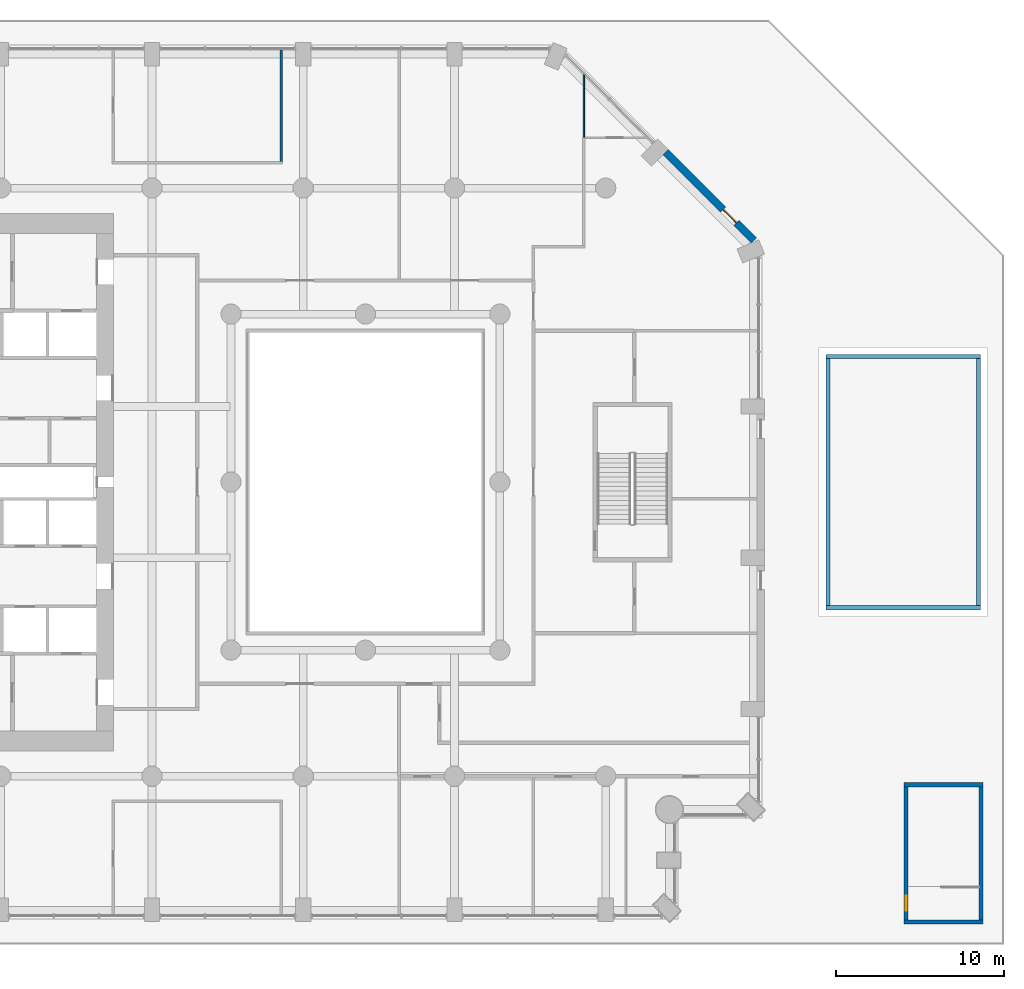
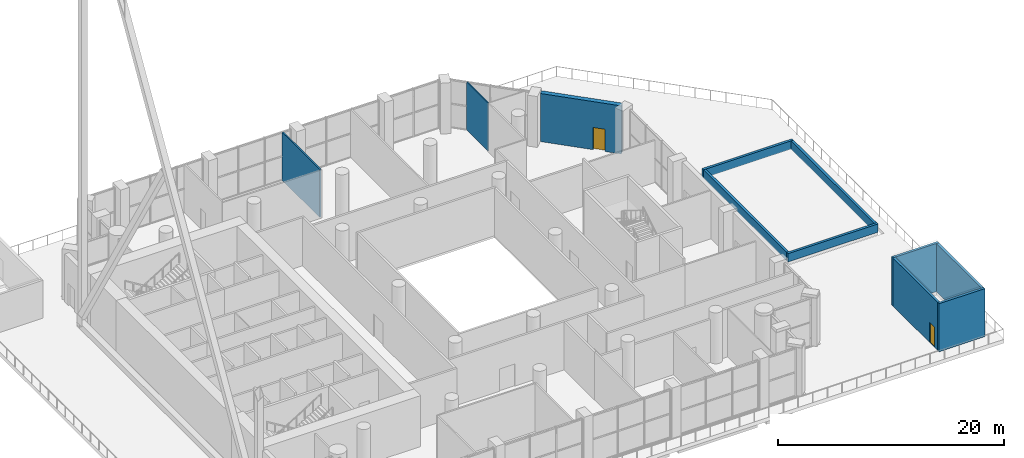
# One storey, part 16 of 26: 11 walls, 2 doors, 2 openings.
"""IFC4 building model written with IfcOpenShell, lengths in metres."""

from ifc_helpers import new_model, si_unit, direction, frame, frame_2d, origin, place, context, subcontext, project, spatial, rectangle, extrude, material, layer, layer_set, type_object, element, fill, save


model = new_model("IFC4")

# Units and contexts
model_context = context("Model", 3, precision=1e-05, world=origin(), true_north=direction((0.0, 1.0)))
body_context = subcontext(model_context, "Body", "Model", "MODEL_VIEW")
ifc_project = project(units=[si_unit("LENGTHUNIT", "METRE"), si_unit("AREAUNIT", "SQUARE_METRE"), si_unit("VOLUMEUNIT", "CUBIC_METRE"), si_unit("PLANEANGLEUNIT", "RADIAN"), si_unit("MASSUNIT", "GRAM", prefix="KILO")], contexts=[model_context])

# Site, building, storey
site_placement = place(None, origin())
site = spatial("IfcSite", under=ifc_project, at=site_placement, CompositionType="ELEMENT")
building_placement = place(site_placement, origin())
building = spatial("IfcBuilding", under=site, at=building_placement, Name="Cypress Arch Tower", CompositionType="ELEMENT")
storey_placement = place(building_placement, frame((0.0, 0.0, 50.0)))
storey = spatial("IfcBuildingStorey", under=building, at=storey_placement, Name="L06", CompositionType="ELEMENT", Elevation=50.0)

# Wall, opening, door
ifc_material_1 = material(Name="Brick (red buff blend)", Category="masonry")
ifc_layer_1 = layer(ifc_material_1, 0.449951171875)
ifc_layer_set_1 = layer_set([ifc_layer_1], Name="Brick pier and spandrel wall BW450")
wall_type_1 = type_object("IfcWallType", Name="Brick pier and spandrel wall BW450", PredefinedType="SOLIDWALL", material=ifc_layer_set_1)
wall_1_placement = place(storey_placement, frame((24.11474609375, 14.379150390625, 0.0), z_axis=(0.0, 0.0, 1.0), x_axis=(-0.707106781187, 0.707106781187, 0.0)))
wall_1 = element("IfcWall", 1, at=wall_1_placement, inside=storey, type_object=wall_type_1, Name="Brick wall L06 A07.0", PredefinedType="SOLIDWALL", context=body_context, shape_type="SweptSolid", body=[
    extrude(rectangle(XDim=7.423828125, YDim=0.449951171875, at=frame_2d((3.7119140625, 0.0))), origin(), (0.0, 0.0, 1.0), 5.199951171875),
])
opening_1_placement = place(wall_1_placement, frame((1.484619140625, 0.0, 0.0)))
opening_1 = element("IfcOpeningElement", 2, at=opening_1_placement, cuts=wall_1, Name="Opening DX1100", PredefinedType="OPENING", context=body_context, shape_type="SweptSolid", body=[
    extrude(rectangle(XDim=1.10009765625, YDim=2.39990234375, at=frame_2d((0.550048828125, 1.199951171875))), frame((0.0, 0.23486328125, 0.0), z_axis=(0.0, -1.0, 0.0), x_axis=(1.0, 0.0, 0.0)), (0.0, 0.0, 1.0), 0.469970703125),
])
ifc_material_2 = material(Name="Steel, powder coated, glazed vision panel", Category="steel")
door_type_1 = type_object("IfcDoorType", Name="Exit door single 1100x2400", OperationType="SINGLE_SWING_LEFT", PredefinedType="DOOR", material=ifc_material_2)
door_1_placement = place(opening_1_placement, origin())
door_1 = element("IfcDoor", 3, at=door_1_placement, inside=storey, type_object=door_type_1, Name="Exterior door L06 A07.0.1", OperationType="SINGLE_SWING_LEFT", OverallHeight=2.39990234375, OverallWidth=1.10009765625, PredefinedType="DOOR", context=body_context, shape_type="SweptSolid", body=[
    extrude(rectangle(XDim=1.10009765625, YDim=2.39990234375, at=frame_2d((0.550048828125, 1.199951171875))), frame((0.0, 0.02490234375, 0.0), z_axis=(0.0, -1.0, 0.0), x_axis=(1.0, 0.0, 0.0)), (0.0, 0.0, 1.0), 0.050048828125),
])
fill(opening_1, door_1)

# Walls
ifc_material_3 = material(Name="Concrete C40/50", Category="concrete")
ifc_layer_2 = layer(ifc_material_3, 0.25)
ifc_layer_set_2 = layer_set([ifc_layer_2], Name="East core roof parapet PP250")
wall_type_2 = type_object("IfcWallType", Name="East core roof parapet PP250", PredefinedType="PARAPET", material=ifc_layer_set_2)
for number, where, z_axis, x_axis, name in (
    (4, (28.39990234375, 7.47509765625, 0.0), (0.0, 0.0, 1.0), (1.0, 0.0, 0.0), "East core parapet N"),
    (5, (28.39990234375, -7.47509765625, 0.0), (0.0, 0.0, 1.0), (1.0, 0.0, 0.0), "East core parapet S"),
):
    element("IfcWall", number, at=place(storey_placement, frame(where, z_axis=z_axis, x_axis=x_axis)), inside=storey, type_object=wall_type_2, Name=name, PredefinedType="PARAPET", context=body_context, shape_type="SweptSolid", body=[
        extrude(rectangle(XDim=9.2001953125, YDim=0.25, at=frame_2d((4.60009765625, 0.0))), origin(), (0.0, 0.0, 1.0), 0.89990234375),
    ])
for number, where, z_axis, x_axis, name in (
    (6, (37.47509765625, -7.35009765625, 0.0), (0.0, 0.0, 1.0), (0.0, 1.0, 0.0), "East core parapet E"),
    (7, (28.52490234375, -7.35009765625, 0.0), (0.0, 0.0, 1.0), (0.0, 1.0, 0.0), "East core parapet W"),
):
    element("IfcWall", number, at=place(storey_placement, frame(where, z_axis=z_axis, x_axis=x_axis)), inside=storey, type_object=wall_type_2, Name=name, PredefinedType="PARAPET", context=body_context, shape_type="SweptSolid", body=[
        extrude(rectangle(XDim=14.7001953125, YDim=0.25, at=frame_2d((7.35009765625, 0.0))), origin(), (0.0, 0.0, 1.0), 0.89990234375),
    ])
ifc_material_4 = material(Name="Blockwork, plastered both sides", Category="masonry")
ifc_layer_3 = layer(ifc_material_4, 0.14990234375)
ifc_layer_set_3 = layer_set([ifc_layer_3], Name="Partition PW150")
wall_type_3 = type_object("IfcWallType", Name="Partition PW150", PredefinedType="PARTITIONING", material=ifc_layer_set_3)
wall_2_placement = place(storey_placement, frame((-4.0, 19.074951171875, 0.0), z_axis=(0.0, 0.0, 1.0), x_axis=(0.0, 1.0, 0.0)))
element("IfcWall", 8, at=wall_2_placement, inside=storey, type_object=wall_type_3, Name="Partition", PredefinedType="PARTITIONING", context=body_context, shape_type="SweptSolid", body=[
    extrude(rectangle(XDim=6.650146484375, YDim=0.14990234375, at=frame_2d((3.3251953125, 0.0))), origin(), (0.0, 0.0, 1.0), 5.199951171875),
])

# Wall, opening, door
ifc_material_5 = material(Name="Concrete C50/60", Category="concrete")
ifc_layer_4 = layer(ifc_material_5, 0.25)
ifc_layer_set_4 = layer_set([ifc_layer_4], Name="Stair enclosure wall SW250")
wall_type_4 = type_object("IfcWallType", Name="Stair enclosure wall SW250", PredefinedType="SHEAR", material=ifc_layer_set_4)
wall_3_placement = place(storey_placement, frame((33.175048828125, -26.050048828125, 0.0), z_axis=(0.0, 0.0, 1.0), x_axis=(0.0, 1.0, 0.0)))
wall_3 = element("IfcWall", 9, at=wall_3_placement, inside=storey, type_object=wall_type_4, Name="Stair enclosure wall", PredefinedType="SHEAR", context=body_context, shape_type="SweptSolid", body=[
    extrude(rectangle(XDim=7.920166015625, YDim=0.25, at=frame_2d((3.9599609375, 0.0))), origin(), (0.0, 0.0, 1.0), 5.199951171875),
])
opening_2_placement = place(wall_3_placement, frame((0.550048828125, 0.0, 0.0)))
opening_2 = element("IfcOpeningElement", 10, at=opening_2_placement, cuts=wall_3, Name="Opening D15", PredefinedType="OPENING", context=body_context, shape_type="SweptSolid", body=[
    extrude(rectangle(XDim=0.89990234375, YDim=2.199951171875, at=frame_2d((0.449951171875, 1.10009765625))), frame((0.0, 0.135009765625, 0.0), z_axis=(0.0, -1.0, 0.0), x_axis=(1.0, 0.0, 0.0)), (0.0, 0.0, 1.0), 0.27001953125),
])
ifc_material_6 = material(Name="Steel door, fire resisting, panic bar", Category="steel")
door_type_2 = type_object("IfcDoorType", Name="Stair door D15 900x2200", OperationType="SINGLE_SWING_LEFT", PredefinedType="DOOR", material=ifc_material_6)
door_2_placement = place(opening_2_placement, origin())
door_2 = element("IfcDoor", 11, at=door_2_placement, inside=storey, type_object=door_type_2, Name="Stair door", OperationType="SINGLE_SWING_LEFT", OverallHeight=2.199951171875, OverallWidth=0.89990234375, PredefinedType="DOOR", context=body_context, shape_type="SweptSolid", body=[
    extrude(rectangle(XDim=0.89990234375, YDim=2.199951171875, at=frame_2d((0.449951171875, 1.10009765625))), frame((0.0, 0.02490234375, 0.0), z_axis=(0.0, -1.0, 0.0), x_axis=(1.0, 0.0, 0.0)), (0.0, 0.0, 1.0), 0.050048828125),
])
fill(opening_2, door_2)

# Walls
for number, where, z_axis, x_axis, name in (
    (12, (33.050048828125, -26.175048828125, 0.0), (0.0, 0.0, 1.0), (1.0, 0.0, 0.0), "Stair enclosure wall"),
    (13, (33.050048828125, -18.0048828125, 0.0), (0.0, 0.0, 1.0), (1.0, 0.0, 0.0), "Stair enclosure wall"),
):
    element("IfcWall", number, at=place(storey_placement, frame(where, z_axis=z_axis, x_axis=x_axis)), inside=storey, type_object=wall_type_4, Name=name, PredefinedType="SHEAR", context=body_context, shape_type="SweptSolid", body=[
        extrude(rectangle(XDim=4.699951171875, YDim=0.25, at=frame_2d((2.35009765625, 0.0))), origin(), (0.0, 0.0, 1.0), 5.199951171875),
    ])
wall_4_placement = place(storey_placement, frame((37.625, -26.050048828125, 0.0), z_axis=(0.0, 0.0, 1.0), x_axis=(0.0, 1.0, 0.0)))
element("IfcWall", 14, at=wall_4_placement, inside=storey, type_object=wall_type_4, Name="Stair enclosure wall", PredefinedType="SHEAR", context=body_context, shape_type="SweptSolid", body=[
    extrude(rectangle(XDim=7.920166015625, YDim=0.25, at=frame_2d((3.9599609375, 0.0))), origin(), (0.0, 0.0, 1.0), 5.199951171875),
])
ifc_material_7 = material(Name="Moisture resistant board on steel studs, tiled", Category="steel")
ifc_layer_5 = layer(ifc_material_7, 0.10009765625)
ifc_layer_set_5 = layer_set([ifc_layer_5], Name="Wet wall PW100")
wall_type_5 = type_object("IfcWallType", Name="Wet wall PW100", PredefinedType="PARTITIONING", material=ifc_layer_set_5)
wall_5_placement = place(storey_placement, frame((14.0, 20.52001953125, 0.0), z_axis=(0.0, 0.0, 1.0), x_axis=(0.0, 1.0, 0.0)))
element("IfcWall", 15, at=wall_5_placement, inside=storey, type_object=wall_type_5, Name="Wet wall", PredefinedType="PARTITIONING", context=body_context, shape_type="SweptSolid", body=[
    extrude(rectangle(XDim=3.7333984375, YDim=0.10009765625, at=frame_2d((1.86669921875, 0.0))), origin(), (0.0, 0.0, 1.0), 5.199951171875),
])

save(model, "model.ifc")
